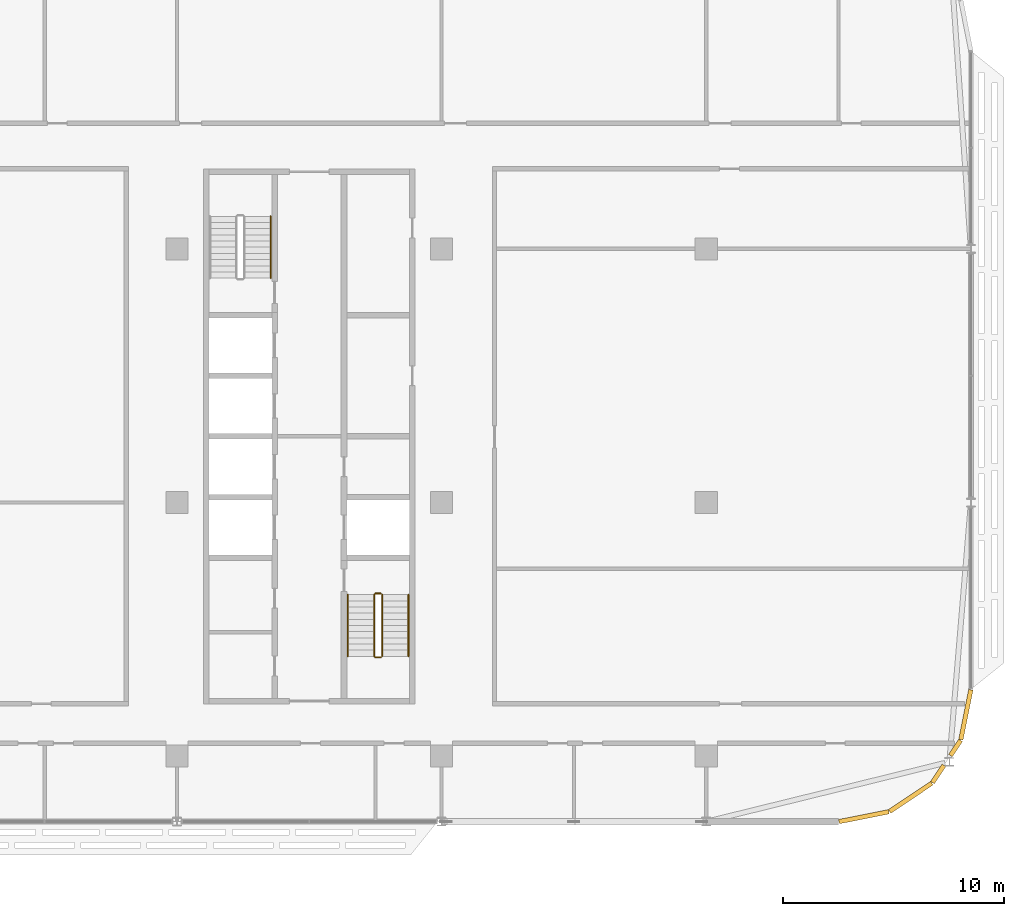
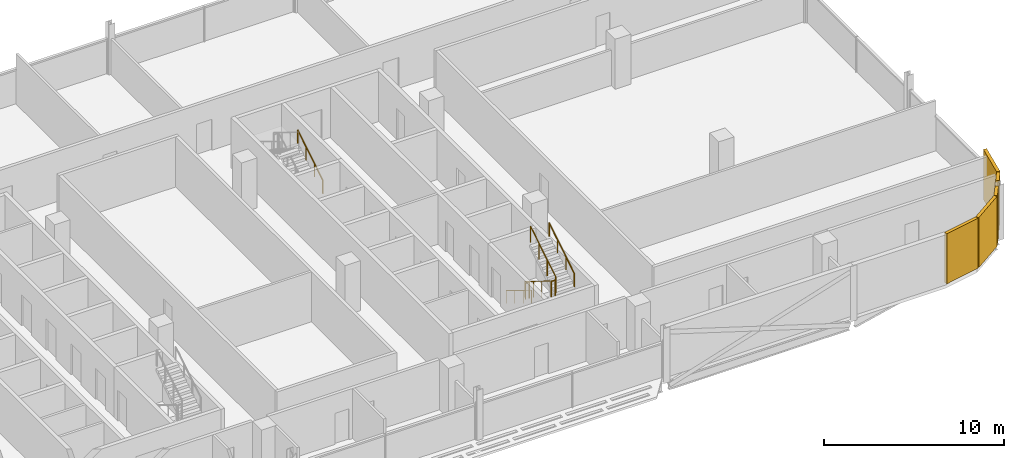
# One storey, part 32 of 33: 7 railings, 5 coverings.
"""IFC4 building model written with IfcOpenShell, lengths in metres."""

from ifc_helpers import new_model, si_unit, direction, frame, origin, origin_2d, place, context, subcontext, project, spatial, rectangle, circle, extrude, material, layer, layer_set, type_object, element, save


model = new_model("IFC4")

# Units and contexts
model_context = context("Model", 3, precision=1e-05, world=origin(), true_north=direction((0.0, 1.0)))
body_context = subcontext(model_context, "Body", "Model", "MODEL_VIEW")
ifc_project = project(units=[si_unit("LENGTHUNIT", "METRE"), si_unit("AREAUNIT", "SQUARE_METRE"), si_unit("VOLUMEUNIT", "CUBIC_METRE"), si_unit("PLANEANGLEUNIT", "RADIAN"), si_unit("MASSUNIT", "GRAM", prefix="KILO")], contexts=[model_context])

# Site, building, storey
site_placement = place(None, origin())
site = spatial("IfcSite", under=ifc_project, at=site_placement, CompositionType="ELEMENT")
building_placement = place(site_placement, origin())
building = spatial("IfcBuilding", under=site, at=building_placement, Name="Mahtab Terrace Research Tower", CompositionType="ELEMENT")
storey_placement = place(building_placement, frame((0.0, 0.0, 255.199951171875)))
storey = spatial("IfcBuildingStorey", under=building, at=storey_placement, Name="L62", CompositionType="ELEMENT", Elevation=255.199951171875)

# Coverings
ifc_material_1 = material(Name="Black aluminium cladding panel", Category="aluminium")
ifc_layer = layer(ifc_material_1, 0.199951171875)
ifc_layer_set = layer_set([ifc_layer], Name="Black metal corner cladding 200")
covering_type = type_object("IfcCoveringType", Name="Black metal corner cladding 200", PredefinedType="CLADDING", material=ifc_layer_set)
for number, where, z_axis, x_axis, name in (
    (1, (49.14794921875, -14.244384765625, 0.0), (0.0, 0.0, 1.0), (0.980760981187, 0.195212442692, 0.0), "Corner cladding L62 33"),
    (2, (51.26953125, -13.365966796875, 0.0), (0.0, 0.0, 1.0), (0.831655794326, 0.555291490808, 0.0), "Corner cladding L62 34"),
):
    element("IfcCovering", number, at=place(storey_placement, frame(where, z_axis=z_axis, x_axis=x_axis)), inside=storey, type_object=covering_type, Name=name, PredefinedType="CLADDING", context=body_context, shape_type="SweptSolid", body=[
        extrude(rectangle(XDim=2.30126953125, YDim=0.199951171875, at=origin_2d()), origin(), (0.0, 0.0, 1.0), 3.39990234375),
    ])
covering_1_placement = place(storey_placement, frame((52.515380859375, -12.30810546875, 0.0), z_axis=(0.0, 0.0, 1.0), x_axis=(0.555291490808, 0.831655794326, 0.0)))
element("IfcCovering", 3, at=covering_1_placement, inside=storey, type_object=covering_type, Name="Corner cladding L62 35", PredefinedType="CLADDING", context=body_context, shape_type="SweptSolid", body=[
    extrude(rectangle(XDim=0.941162109375, YDim=0.199951171875, at=origin_2d()), origin(), (0.0, 0.0, 1.0), 3.39990234375),
])
covering_2_placement = place(storey_placement, frame((53.302978515625, -11.12841796875, 0.0), z_axis=(0.0, 0.0, 1.0), x_axis=(0.555291490808, 0.831655794326, 0.0)))
element("IfcCovering", 4, at=covering_2_placement, inside=storey, type_object=covering_type, Name="Corner cladding L62 36", PredefinedType="CLADDING", context=body_context, shape_type="SweptSolid", body=[
    extrude(rectangle(XDim=0.82470703125, YDim=0.199951171875, at=origin_2d()), origin(), (0.0, 0.0, 1.0), 3.39990234375),
])
covering_3_placement = place(storey_placement, frame((53.771484375, -9.62109375, 0.0), z_axis=(0.0, 0.0, 1.0), x_axis=(0.195212442692, 0.980760981187, 0.0)))
element("IfcCovering", 5, at=covering_3_placement, inside=storey, type_object=covering_type, Name="Corner cladding L62 37", PredefinedType="CLADDING", context=body_context, shape_type="SweptSolid", body=[
    extrude(rectangle(XDim=2.30126953125, YDim=0.199951171875, at=origin_2d()), origin(), (0.0, 0.0, 1.0), 3.39990234375),
])

# Railings
ifc_material_2 = material(Name="Stainless steel AISI 304", Category="steel")
railing_type_1 = type_object("IfcRailingType", Name="Stair guard 1100", PredefinedType="GUARDRAIL", material=ifc_material_2)
railing_1_placement = place(storey_placement, frame((26.949951171875, -4.175048828125, 0.1728515625)))
element("IfcRailing", 6, at=railing_1_placement, inside=storey, type_object=railing_type_1, Name="L62 ST4 stair guard 1", PredefinedType="GUARDRAIL", context=body_context, shape_type="SweptSolid", body=[
    extrude(circle(Radius=0.02392578125, at=origin_2d()), frame((0.0, 0.0, 1.076171875), z_axis=(0.0, -0.851089632645, 0.525020415988), x_axis=(1.0, 0.0, 0.0)), (0.0, 0.0, 1.0), 3.2900390625),
    extrude(circle(Radius=0.02099609375, at=origin_2d()), origin(), (0.0, 0.0, 1.0), 1.052001953125),
    extrude(circle(Radius=0.02099609375, at=origin_2d()), frame((0.0, -0.933349609375, 0.57568359375)), (0.0, 0.0, 1.0), 1.052001953125),
    extrude(circle(Radius=0.02099609375, at=origin_2d()), frame((0.0, -1.86669921875, 1.151611328125)), (0.0, 0.0, 1.0), 1.052001953125),
    extrude(circle(Radius=0.02099609375, at=origin_2d()), frame((0.0, -2.800048828125, 1.727294921875)), (0.0, 0.0, 1.0), 1.052001953125),
])
railing_2_placement = place(storey_placement, frame((27.0, -7.02490234375, 1.900146484375)))
element("IfcRailing", 7, at=railing_2_placement, inside=storey, type_object=railing_type_1, Name="L62 ST4 stair guard 2", PredefinedType="GUARDRAIL", context=body_context, shape_type="SweptSolid", body=[
    extrude(circle(Radius=0.02392578125, at=origin_2d()), frame((0.0, 0.0, 1.076171875), z_axis=(1.0, 0.0, 0.0), x_axis=(0.0, 1.0, 0.0)), (0.0, 0.0, 1.0), 0.25),
    extrude(circle(Radius=0.02099609375, at=origin_2d()), origin(), (0.0, 0.0, 1.0), 1.052001953125),
    extrude(circle(Radius=0.02099609375, at=origin_2d()), frame((0.25, 0.0, 0.0)), (0.0, 0.0, 1.0), 1.052001953125),
])
railing_3_placement = place(storey_placement, frame((27.300048828125, -6.97509765625, 2.07275390625)))
element("IfcRailing", 8, at=railing_3_placement, inside=storey, type_object=railing_type_1, Name="L62 ST4 stair guard 3", PredefinedType="GUARDRAIL", context=body_context, shape_type="SweptSolid", body=[
    extrude(circle(Radius=0.02392578125, at=origin_2d()), frame((0.0, 0.0, 1.076171875), z_axis=(0.0, 0.851089632645, 0.525020415988), x_axis=(-1.0, 0.0, 0.0)), (0.0, 0.0, 1.0), 3.2900390625),
    extrude(circle(Radius=0.02099609375, at=origin_2d()), origin(), (0.0, 0.0, 1.0), 1.052001953125),
    extrude(circle(Radius=0.02099609375, at=origin_2d()), frame((0.0, 0.933349609375, 0.57568359375)), (0.0, 0.0, 1.0), 1.052001953125),
    extrude(circle(Radius=0.02099609375, at=origin_2d()), frame((0.0, 1.86669921875, 1.151611328125)), (0.0, 0.0, 1.0), 1.052001953125),
    extrude(circle(Radius=0.02099609375, at=origin_2d()), frame((0.0, 2.800048828125, 1.727294921875)), (0.0, 0.0, 1.0), 1.052001953125),
])
railing_4_placement = place(storey_placement, frame((27.0, -4.125, 0.0)))
element("IfcRailing", 9, at=railing_4_placement, inside=storey, type_object=railing_type_1, Name="L62 ST4 stair guard 4", PredefinedType="GUARDRAIL", context=body_context, shape_type="SweptSolid", body=[
    extrude(circle(Radius=0.02392578125, at=origin_2d()), frame((0.0, 0.0, 1.076171875), z_axis=(1.0, 0.0, 0.0), x_axis=(0.0, 1.0, 0.0)), (0.0, 0.0, 1.0), 0.25),
    extrude(circle(Radius=0.02099609375, at=origin_2d()), origin(), (0.0, 0.0, 1.0), 1.052001953125),
    extrude(circle(Radius=0.02099609375, at=origin_2d()), frame((0.25, 0.0, 0.0)), (0.0, 0.0, 1.0), 1.052001953125),
])
railing_type_2 = type_object("IfcRailingType", Name="Stair handrail 900", PredefinedType="HANDRAIL", material=ifc_material_2)
railing_5_placement = place(storey_placement, frame((22.25, 10.175048828125, 0.1728515625)))
element("IfcRailing", 10, at=railing_5_placement, inside=storey, type_object=railing_type_2, Name="L62 ST3 stair handrail 1", PredefinedType="HANDRAIL", context=body_context, shape_type="SweptSolid", body=[
    extrude(circle(Radius=0.02392578125, at=origin_2d()), frame((0.0, 0.0, 0.8759765625), z_axis=(0.0, 0.851089632645, 0.525020415988), x_axis=(-1.0, 0.0, 0.0)), (0.0, 0.0, 1.0), 3.2900390625),
    extrude(circle(Radius=0.02099609375, at=origin_2d()), origin(), (0.0, 0.0, 1.0), 0.851806640625),
    extrude(circle(Radius=0.02099609375, at=origin_2d()), frame((0.0, 0.933349609375, 0.57568359375)), (0.0, 0.0, 1.0), 0.851806640625),
    extrude(circle(Radius=0.02099609375, at=origin_2d()), frame((0.0, 1.86669921875, 1.151611328125)), (0.0, 0.0, 1.0), 0.851806640625),
    extrude(circle(Radius=0.02099609375, at=origin_2d()), frame((0.0, 2.800048828125, 1.727294921875)), (0.0, 0.0, 1.0), 0.851806640625),
])
railing_6_placement = place(storey_placement, frame((25.75, -4.175048828125, 0.1728515625)))
element("IfcRailing", 11, at=railing_6_placement, inside=storey, type_object=railing_type_2, Name="L62 ST4 stair handrail 1", PredefinedType="HANDRAIL", context=body_context, shape_type="SweptSolid", body=[
    extrude(circle(Radius=0.02392578125, at=origin_2d()), frame((0.0, 0.0, 0.8759765625), z_axis=(0.0, -0.851089632645, 0.525020415988), x_axis=(1.0, 0.0, 0.0)), (0.0, 0.0, 1.0), 3.2900390625),
    extrude(circle(Radius=0.02099609375, at=origin_2d()), origin(), (0.0, 0.0, 1.0), 0.851806640625),
    extrude(circle(Radius=0.02099609375, at=origin_2d()), frame((0.0, -0.933349609375, 0.57568359375)), (0.0, 0.0, 1.0), 0.851806640625),
    extrude(circle(Radius=0.02099609375, at=origin_2d()), frame((0.0, -1.86669921875, 1.151611328125)), (0.0, 0.0, 1.0), 0.851806640625),
    extrude(circle(Radius=0.02099609375, at=origin_2d()), frame((0.0, -2.800048828125, 1.727294921875)), (0.0, 0.0, 1.0), 0.851806640625),
])
railing_7_placement = place(storey_placement, frame((28.5, -6.97509765625, 2.07275390625)))
element("IfcRailing", 12, at=railing_7_placement, inside=storey, type_object=railing_type_2, Name="L62 ST4 stair handrail 2", PredefinedType="HANDRAIL", context=body_context, shape_type="SweptSolid", body=[
    extrude(circle(Radius=0.02392578125, at=origin_2d()), frame((0.0, 0.0, 0.8759765625), z_axis=(0.0, 0.851089632645, 0.525020415988), x_axis=(-1.0, 0.0, 0.0)), (0.0, 0.0, 1.0), 3.2900390625),
    extrude(circle(Radius=0.02099609375, at=origin_2d()), origin(), (0.0, 0.0, 1.0), 0.851806640625),
    extrude(circle(Radius=0.02099609375, at=origin_2d()), frame((0.0, 0.933349609375, 0.57568359375)), (0.0, 0.0, 1.0), 0.851806640625),
    extrude(circle(Radius=0.02099609375, at=origin_2d()), frame((0.0, 1.86669921875, 1.151611328125)), (0.0, 0.0, 1.0), 0.851806640625),
    extrude(circle(Radius=0.02099609375, at=origin_2d()), frame((0.0, 2.800048828125, 1.727294921875)), (0.0, 0.0, 1.0), 0.851806640625),
])

save(model, "model.ifc")
